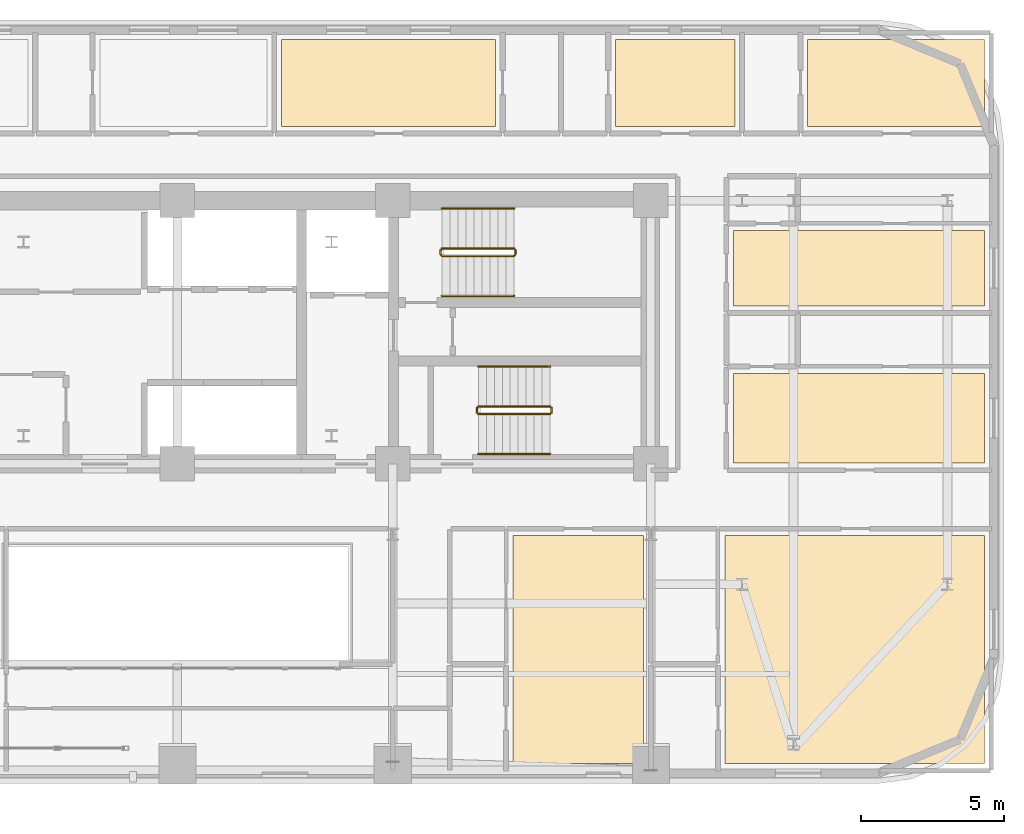
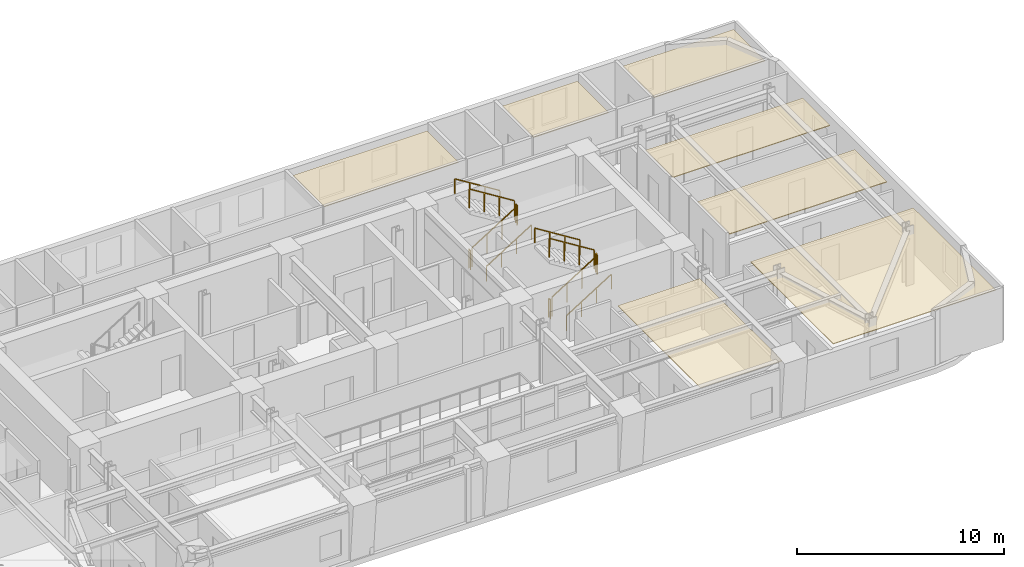
# One storey, part 16 of 16: 12 railings, 7 coverings.
"""IFC4 building model written with IfcOpenShell, lengths in metres."""

from ifc_helpers import new_model, si_unit, direction, frame, origin, origin_2d, place, context, subcontext, project, spatial, polyline, rectangle, outline, extrude, material, layer, layer_set, type_object, element, save


model = new_model("IFC4")

# Units and contexts
model_context = context("Model", 3, precision=1e-05, world=origin(), true_north=direction((0.0, 1.0)))
body_context = subcontext(model_context, "Body", "Model", "MODEL_VIEW")
ifc_project = project(units=[si_unit("LENGTHUNIT", "METRE"), si_unit("AREAUNIT", "SQUARE_METRE"), si_unit("VOLUMEUNIT", "CUBIC_METRE"), si_unit("PLANEANGLEUNIT", "RADIAN"), si_unit("MASSUNIT", "GRAM", prefix="KILO")], contexts=[model_context])

# Site, building, storey
site_placement = place(None, origin())
site = spatial("IfcSite", under=ifc_project, at=site_placement, CompositionType="ELEMENT")
building_placement = place(site_placement, origin())
building = spatial("IfcBuilding", under=site, at=building_placement, Name="Zarnavel Station Tower", CompositionType="ELEMENT")
storey_placement = place(building_placement, frame((0.0, 0.0, 97.800048828125)))
storey = spatial("IfcBuildingStorey", under=building, at=storey_placement, Name="L26", CompositionType="ELEMENT", Elevation=97.800048828125)

# Coverings
ifc_material_1 = material(Name="Perforated Gypsum and Mineral-Wool Acoustic Ceiling", Category="concrete")
ifc_layer = layer(ifc_material_1, 0.0400390625)
ifc_layer_set = layer_set([ifc_layer], Name="COV_CEIL_ACOUSTIC")
covering_type = type_object("IfcCoveringType", Name="COV_CEIL_ACOUSTIC", PredefinedType="CEILING", material=ifc_layer_set)
covering_1_placement = place(storey_placement, frame((0.0, 0.0, 2.919921875)))
element("IfcCovering", 1, at=covering_1_placement, inside=storey, type_object=covering_type, Name="L26 FNE1R Acoustic Ceiling", PredefinedType="CEILING", context=body_context, shape_type="SweptSolid", body=[
    extrude(outline(polyline([(48.300048828125, 27.85009765625), (57.090087890625, 27.85009765625), (57.090087890625, 30.986083984375), (48.300048828125, 30.986083984375), (48.300048828125, 27.85009765625)])), origin(), (0.0, 0.0, 1.0), 0.0400390625),
])
covering_2_placement = place(storey_placement, frame((0.0, 0.0, 2.919921875)))
element("IfcCovering", 2, at=covering_2_placement, inside=storey, type_object=covering_type, Name="L26 FNE2R Acoustic Ceiling", PredefinedType="CEILING", context=body_context, shape_type="SweptSolid", body=[
    extrude(outline(polyline([(48.300048828125, 33.35888671875), (57.090087890625, 33.35888671875), (57.090087890625, 36.0), (48.300048828125, 36.0), (48.300048828125, 33.35888671875)])), origin(), (0.0, 0.0, 1.0), 0.0400390625),
])
covering_3_placement = place(storey_placement, frame((0.0, 0.0, 2.919921875)))
element("IfcCovering", 3, at=covering_3_placement, inside=storey, type_object=covering_type, Name="L26 HN4R Acoustic Ceiling", PredefinedType="CEILING", context=body_context, shape_type="SweptSolid", body=[
    extrude(outline(polyline([(32.449951171875, 39.64990234375), (39.9560546875, 39.64990234375), (39.9560546875, 42.68994140625), (32.449951171875, 42.68994140625), (32.449951171875, 39.64990234375)])), origin(), (0.0, 0.0, 1.0), 0.0400390625),
])
covering_4_placement = place(storey_placement, frame((0.0, 0.0, 2.919921875)))
element("IfcCovering", 4, at=covering_4_placement, inside=storey, type_object=covering_type, Name="L26 HN5R Acoustic Ceiling", PredefinedType="CEILING", context=body_context, shape_type="SweptSolid", body=[
    extrude(outline(polyline([(44.156005859375, 39.64990234375), (48.35009765625, 39.64990234375), (48.35009765625, 42.68994140625), (44.156005859375, 42.68994140625), (44.156005859375, 39.64990234375)])), origin(), (0.0, 0.0, 1.0), 0.0400390625),
])
covering_5_placement = place(storey_placement, frame((0.0, 0.0, 2.919921875)))
element("IfcCovering", 5, at=covering_5_placement, inside=storey, type_object=covering_type, Name="L26 HN6R Acoustic Ceiling", PredefinedType="CEILING", context=body_context, shape_type="SweptSolid", body=[
    extrude(outline(polyline([(50.89990234375, 39.64990234375), (57.090087890625, 39.64990234375), (57.090087890625, 42.68994140625), (50.89990234375, 42.68994140625), (50.89990234375, 39.64990234375)])), origin(), (0.0, 0.0, 1.0), 0.0400390625),
])
covering_6_placement = place(storey_placement, frame((0.0, 0.0, 2.919921875)))
element("IfcCovering", 6, at=covering_6_placement, inside=storey, type_object=covering_type, Name="L26 HE1R Acoustic Ceiling", PredefinedType="CEILING", context=body_context, shape_type="SweptSolid", body=[
    extrude(outline(polyline([(40.573974609375, 17.31005859375), (45.14990234375, 17.31005859375), (45.14990234375, 25.300048828125), (40.573974609375, 25.300048828125), (40.573974609375, 17.31005859375)])), origin(), (0.0, 0.0, 1.0), 0.0400390625),
])
covering_7_placement = place(storey_placement, frame((0.0, 0.0, 2.919921875)))
element("IfcCovering", 7, at=covering_7_placement, inside=storey, type_object=covering_type, Name="L26 HE2R Acoustic Ceiling", PredefinedType="CEILING", context=body_context, shape_type="SweptSolid", body=[
    extrude(outline(polyline([(48.0, 17.31005859375), (57.090087890625, 17.31005859375), (57.090087890625, 25.300048828125), (48.0, 25.300048828125), (48.0, 17.31005859375)])), origin(), (0.0, 0.0, 1.0), 0.0400390625),
])

# Railings
ifc_material_2 = material(Name="Painted Steel S355J2 Balustrade", Category="steel")
railing_type_1 = type_object("IfcRailingType", Name="GR_INT_1150", PredefinedType="GUARDRAIL", material=ifc_material_2)
railing_1_placement = place(storey_placement, frame((38.080078125, 35.110107421875, 0.175048828125)))
element("IfcRailing", 8, at=railing_1_placement, inside=storey, type_object=railing_type_1, Name="L26 ST2 stair guard 1", PredefinedType="GUARDRAIL", context=body_context, shape_type="SweptSolid", body=[
    extrude(rectangle(XDim=0.048095703125, YDim=0.048095703125, at=origin_2d()), frame((0.001708984375, 0.0, 1.126953125), z_axis=(0.848007534815, 0.0, 0.529984170421), x_axis=(0.0, 1.0, 0.0)), (0.0, 0.0, 1.0), 2.9677734375),
    extrude(rectangle(XDim=0.0419921875, YDim=0.0419921875, at=origin_2d()), origin(), (0.0, 0.0, 1.0), 1.101806640625),
    extrude(rectangle(XDim=0.0419921875, YDim=0.0419921875, at=origin_2d()), frame((0.840087890625, 0.0, 0.52490234375)), (0.0, 0.0, 1.0), 1.101806640625),
    extrude(rectangle(XDim=0.0419921875, YDim=0.0419921875, at=origin_2d()), frame((1.679931640625, 0.0, 1.050048828125)), (0.0, 0.0, 1.0), 1.101806640625),
    extrude(rectangle(XDim=0.0419921875, YDim=0.0419921875, at=origin_2d()), frame((2.52001953125, 0.0, 1.574951171875)), (0.0, 0.0, 1.0), 1.101806640625),
])
railing_2_placement = place(storey_placement, frame((40.64990234375, 35.159912109375, 1.75)))
element("IfcRailing", 9, at=railing_2_placement, inside=storey, type_object=railing_type_1, Name="L26 ST2 stair guard 2", PredefinedType="GUARDRAIL", context=body_context, shape_type="SweptSolid", body=[
    extrude(rectangle(XDim=0.048095703125, YDim=0.048095703125, at=origin_2d()), frame((0.0, 0.001953125, 1.1259765625), z_axis=(0.0, 1.0, 0.0), x_axis=(-1.0, 0.0, 0.0)), (0.0, 0.0, 1.0), 0.15625),
    extrude(rectangle(XDim=0.0419921875, YDim=0.0419921875, at=origin_2d()), origin(), (0.0, 0.0, 1.0), 1.101806640625),
    extrude(rectangle(XDim=0.0419921875, YDim=0.0419921875, at=origin_2d()), frame((0.0, 0.16015625, 0.0)), (0.0, 0.0, 1.0), 1.101806640625),
])
railing_3_placement = place(storey_placement, frame((40.60009765625, 35.3701171875, 1.925048828125)))
element("IfcRailing", 10, at=railing_3_placement, inside=storey, type_object=railing_type_1, Name="L26 ST2 stair guard 3", PredefinedType="GUARDRAIL", context=body_context, shape_type="SweptSolid", body=[
    extrude(rectangle(XDim=0.048095703125, YDim=0.048095703125, at=origin_2d()), frame((-0.001708984375, 0.0, 1.126953125), z_axis=(-0.848007534815, 0.0, 0.529984170421), x_axis=(0.0, -1.0, 0.0)), (0.0, 0.0, 1.0), 2.9677734375),
    extrude(rectangle(XDim=0.0419921875, YDim=0.0419921875, at=origin_2d()), origin(), (0.0, 0.0, 1.0), 1.101806640625),
    extrude(rectangle(XDim=0.0419921875, YDim=0.0419921875, at=origin_2d()), frame((-0.840087890625, 0.0, 0.52490234375)), (0.0, 0.0, 1.0), 1.101806640625),
    extrude(rectangle(XDim=0.0419921875, YDim=0.0419921875, at=origin_2d()), frame((-1.679931640625, 0.0, 1.050048828125)), (0.0, 0.0, 1.0), 1.101806640625),
    extrude(rectangle(XDim=0.0419921875, YDim=0.0419921875, at=origin_2d()), frame((-2.52001953125, 0.0, 1.574951171875)), (0.0, 0.0, 1.0), 1.101806640625),
])
railing_4_placement = place(storey_placement, frame((38.030029296875, 35.159912109375, 0.0)))
element("IfcRailing", 11, at=railing_4_placement, inside=storey, type_object=railing_type_1, Name="L26 ST2 stair guard 4", PredefinedType="GUARDRAIL", context=body_context, shape_type="SweptSolid", body=[
    extrude(rectangle(XDim=0.048095703125, YDim=0.048095703125, at=origin_2d()), frame((0.0, 0.001953125, 1.1259765625), z_axis=(0.0, 1.0, 0.0), x_axis=(-1.0, 0.0, 0.0)), (0.0, 0.0, 1.0), 0.15625),
    extrude(rectangle(XDim=0.0419921875, YDim=0.0419921875, at=origin_2d()), origin(), (0.0, 0.0, 1.0), 1.101806640625),
    extrude(rectangle(XDim=0.0419921875, YDim=0.0419921875, at=origin_2d()), frame((0.0, 0.16015625, 0.0)), (0.0, 0.0, 1.0), 1.101806640625),
])
railing_5_placement = place(storey_placement, frame((39.35009765625, 29.570068359375, 0.175048828125)))
element("IfcRailing", 12, at=railing_5_placement, inside=storey, type_object=railing_type_1, Name="L26 ST3 stair guard 1", PredefinedType="GUARDRAIL", context=body_context, shape_type="SweptSolid", body=[
    extrude(rectangle(XDim=0.048095703125, YDim=0.048095703125, at=origin_2d()), frame((0.001708984375, 0.0, 1.126953125), z_axis=(0.848007534815, 0.0, 0.529984170421), x_axis=(0.0, 1.0, 0.0)), (0.0, 0.0, 1.0), 2.9677734375),
    extrude(rectangle(XDim=0.0419921875, YDim=0.0419921875, at=origin_2d()), origin(), (0.0, 0.0, 1.0), 1.101806640625),
    extrude(rectangle(XDim=0.0419921875, YDim=0.0419921875, at=origin_2d()), frame((0.840087890625, 0.0, 0.52490234375)), (0.0, 0.0, 1.0), 1.101806640625),
    extrude(rectangle(XDim=0.0419921875, YDim=0.0419921875, at=origin_2d()), frame((1.679931640625, 0.0, 1.050048828125)), (0.0, 0.0, 1.0), 1.101806640625),
    extrude(rectangle(XDim=0.0419921875, YDim=0.0419921875, at=origin_2d()), frame((2.52001953125, 0.0, 1.574951171875)), (0.0, 0.0, 1.0), 1.101806640625),
])
railing_6_placement = place(storey_placement, frame((41.919921875, 29.6201171875, 1.75)))
element("IfcRailing", 13, at=railing_6_placement, inside=storey, type_object=railing_type_1, Name="L26 ST3 stair guard 2", PredefinedType="GUARDRAIL", context=body_context, shape_type="SweptSolid", body=[
    extrude(rectangle(XDim=0.048095703125, YDim=0.048095703125, at=origin_2d()), frame((0.0, 0.001953125, 1.1259765625), z_axis=(0.0, 1.0, 0.0), x_axis=(-1.0, 0.0, 0.0)), (0.0, 0.0, 1.0), 0.156005859375),
    extrude(rectangle(XDim=0.0419921875, YDim=0.0419921875, at=origin_2d()), origin(), (0.0, 0.0, 1.0), 1.101806640625),
    extrude(rectangle(XDim=0.0419921875, YDim=0.0419921875, at=origin_2d()), frame((0.0, 0.159912109375, 0.0)), (0.0, 0.0, 1.0), 1.101806640625),
])
railing_7_placement = place(storey_placement, frame((41.8701171875, 29.830078125, 1.925048828125)))
element("IfcRailing", 14, at=railing_7_placement, inside=storey, type_object=railing_type_1, Name="L26 ST3 stair guard 3", PredefinedType="GUARDRAIL", context=body_context, shape_type="SweptSolid", body=[
    extrude(rectangle(XDim=0.048095703125, YDim=0.048095703125, at=origin_2d()), frame((-0.001708984375, 0.0, 1.126953125), z_axis=(-0.848007534815, 0.0, 0.529984170421), x_axis=(0.0, -1.0, 0.0)), (0.0, 0.0, 1.0), 2.9677734375),
    extrude(rectangle(XDim=0.0419921875, YDim=0.0419921875, at=origin_2d()), origin(), (0.0, 0.0, 1.0), 1.101806640625),
    extrude(rectangle(XDim=0.0419921875, YDim=0.0419921875, at=origin_2d()), frame((-0.840087890625, 0.0, 0.52490234375)), (0.0, 0.0, 1.0), 1.101806640625),
    extrude(rectangle(XDim=0.0419921875, YDim=0.0419921875, at=origin_2d()), frame((-1.679931640625, 0.0, 1.050048828125)), (0.0, 0.0, 1.0), 1.101806640625),
    extrude(rectangle(XDim=0.0419921875, YDim=0.0419921875, at=origin_2d()), frame((-2.52001953125, 0.0, 1.574951171875)), (0.0, 0.0, 1.0), 1.101806640625),
])
railing_8_placement = place(storey_placement, frame((39.300048828125, 29.6201171875, 0.0)))
element("IfcRailing", 15, at=railing_8_placement, inside=storey, type_object=railing_type_1, Name="L26 ST3 stair guard 4", PredefinedType="GUARDRAIL", context=body_context, shape_type="SweptSolid", body=[
    extrude(rectangle(XDim=0.048095703125, YDim=0.048095703125, at=origin_2d()), frame((0.0, 0.001953125, 1.1259765625), z_axis=(0.0, 1.0, 0.0), x_axis=(-1.0, 0.0, 0.0)), (0.0, 0.0, 1.0), 0.156005859375),
    extrude(rectangle(XDim=0.0419921875, YDim=0.0419921875, at=origin_2d()), origin(), (0.0, 0.0, 1.0), 1.101806640625),
    extrude(rectangle(XDim=0.0419921875, YDim=0.0419921875, at=origin_2d()), frame((0.0, 0.159912109375, 0.0)), (0.0, 0.0, 1.0), 1.101806640625),
])
ifc_material_3 = material(Name="Brushed Stainless Steel S355J2 Handrail", Category="steel")
railing_type_2 = type_object("IfcRailingType", Name="HR_STAIR_900", PredefinedType="HANDRAIL", material=ifc_material_3)
railing_9_placement = place(storey_placement, frame((38.080078125, 33.7099609375, 0.175048828125)))
element("IfcRailing", 16, at=railing_9_placement, inside=storey, type_object=railing_type_2, Name="L26 ST2 stair handrail 1", PredefinedType="HANDRAIL", context=body_context, shape_type="SweptSolid", body=[
    extrude(rectangle(XDim=0.048095703125, YDim=0.048095703125, at=origin_2d()), frame((0.001708984375, 0.0, 0.876953125), z_axis=(0.848007534815, 0.0, 0.529984170421), x_axis=(0.0, 1.0, 0.0)), (0.0, 0.0, 1.0), 2.9677734375),
    extrude(rectangle(XDim=0.0419921875, YDim=0.0419921875, at=origin_2d()), origin(), (0.0, 0.0, 1.0), 0.851806640625),
    extrude(rectangle(XDim=0.0419921875, YDim=0.0419921875, at=origin_2d()), frame((0.840087890625, 0.0, 0.52490234375)), (0.0, 0.0, 1.0), 0.851806640625),
    extrude(rectangle(XDim=0.0419921875, YDim=0.0419921875, at=origin_2d()), frame((1.679931640625, 0.0, 1.050048828125)), (0.0, 0.0, 1.0), 0.851806640625),
    extrude(rectangle(XDim=0.0419921875, YDim=0.0419921875, at=origin_2d()), frame((2.52001953125, 0.0, 1.574951171875)), (0.0, 0.0, 1.0), 0.851806640625),
])
railing_10_placement = place(storey_placement, frame((40.60009765625, 36.77001953125, 1.925048828125)))
element("IfcRailing", 17, at=railing_10_placement, inside=storey, type_object=railing_type_2, Name="L26 ST2 stair handrail 2", PredefinedType="HANDRAIL", context=body_context, shape_type="SweptSolid", body=[
    extrude(rectangle(XDim=0.048095703125, YDim=0.048095703125, at=origin_2d()), frame((-0.001708984375, 0.0, 0.876953125), z_axis=(-0.848007534815, 0.0, 0.529984170421), x_axis=(0.0, -1.0, 0.0)), (0.0, 0.0, 1.0), 2.9677734375),
    extrude(rectangle(XDim=0.0419921875, YDim=0.0419921875, at=origin_2d()), origin(), (0.0, 0.0, 1.0), 0.851806640625),
    extrude(rectangle(XDim=0.0419921875, YDim=0.0419921875, at=origin_2d()), frame((-0.840087890625, 0.0, 0.52490234375)), (0.0, 0.0, 1.0), 0.851806640625),
    extrude(rectangle(XDim=0.0419921875, YDim=0.0419921875, at=origin_2d()), frame((-1.679931640625, 0.0, 1.050048828125)), (0.0, 0.0, 1.0), 0.851806640625),
    extrude(rectangle(XDim=0.0419921875, YDim=0.0419921875, at=origin_2d()), frame((-2.52001953125, 0.0, 1.574951171875)), (0.0, 0.0, 1.0), 0.851806640625),
])
railing_11_placement = place(storey_placement, frame((39.35009765625, 28.169921875, 0.175048828125)))
element("IfcRailing", 18, at=railing_11_placement, inside=storey, type_object=railing_type_2, Name="L26 ST3 stair handrail 1", PredefinedType="HANDRAIL", context=body_context, shape_type="SweptSolid", body=[
    extrude(rectangle(XDim=0.048095703125, YDim=0.048095703125, at=origin_2d()), frame((0.001708984375, 0.0, 0.876953125), z_axis=(0.848007534815, 0.0, 0.529984170421), x_axis=(0.0, 1.0, 0.0)), (0.0, 0.0, 1.0), 2.9677734375),
    extrude(rectangle(XDim=0.0419921875, YDim=0.0419921875, at=origin_2d()), origin(), (0.0, 0.0, 1.0), 0.851806640625),
    extrude(rectangle(XDim=0.0419921875, YDim=0.0419921875, at=origin_2d()), frame((0.840087890625, 0.0, 0.52490234375)), (0.0, 0.0, 1.0), 0.851806640625),
    extrude(rectangle(XDim=0.0419921875, YDim=0.0419921875, at=origin_2d()), frame((1.679931640625, 0.0, 1.050048828125)), (0.0, 0.0, 1.0), 0.851806640625),
    extrude(rectangle(XDim=0.0419921875, YDim=0.0419921875, at=origin_2d()), frame((2.52001953125, 0.0, 1.574951171875)), (0.0, 0.0, 1.0), 0.851806640625),
])
railing_12_placement = place(storey_placement, frame((41.8701171875, 31.22998046875, 1.925048828125)))
element("IfcRailing", 19, at=railing_12_placement, inside=storey, type_object=railing_type_2, Name="L26 ST3 stair handrail 2", PredefinedType="HANDRAIL", context=body_context, shape_type="SweptSolid", body=[
    extrude(rectangle(XDim=0.048095703125, YDim=0.048095703125, at=origin_2d()), frame((-0.001708984375, 0.0, 0.876953125), z_axis=(-0.848007534815, 0.0, 0.529984170421), x_axis=(0.0, -1.0, 0.0)), (0.0, 0.0, 1.0), 2.9677734375),
    extrude(rectangle(XDim=0.0419921875, YDim=0.0419921875, at=origin_2d()), origin(), (0.0, 0.0, 1.0), 0.851806640625),
    extrude(rectangle(XDim=0.0419921875, YDim=0.0419921875, at=origin_2d()), frame((-0.840087890625, 0.0, 0.52490234375)), (0.0, 0.0, 1.0), 0.851806640625),
    extrude(rectangle(XDim=0.0419921875, YDim=0.0419921875, at=origin_2d()), frame((-1.679931640625, 0.0, 1.050048828125)), (0.0, 0.0, 1.0), 0.851806640625),
    extrude(rectangle(XDim=0.0419921875, YDim=0.0419921875, at=origin_2d()), frame((-2.52001953125, 0.0, 1.574951171875)), (0.0, 0.0, 1.0), 0.851806640625),
])

save(model, "model.ifc")
